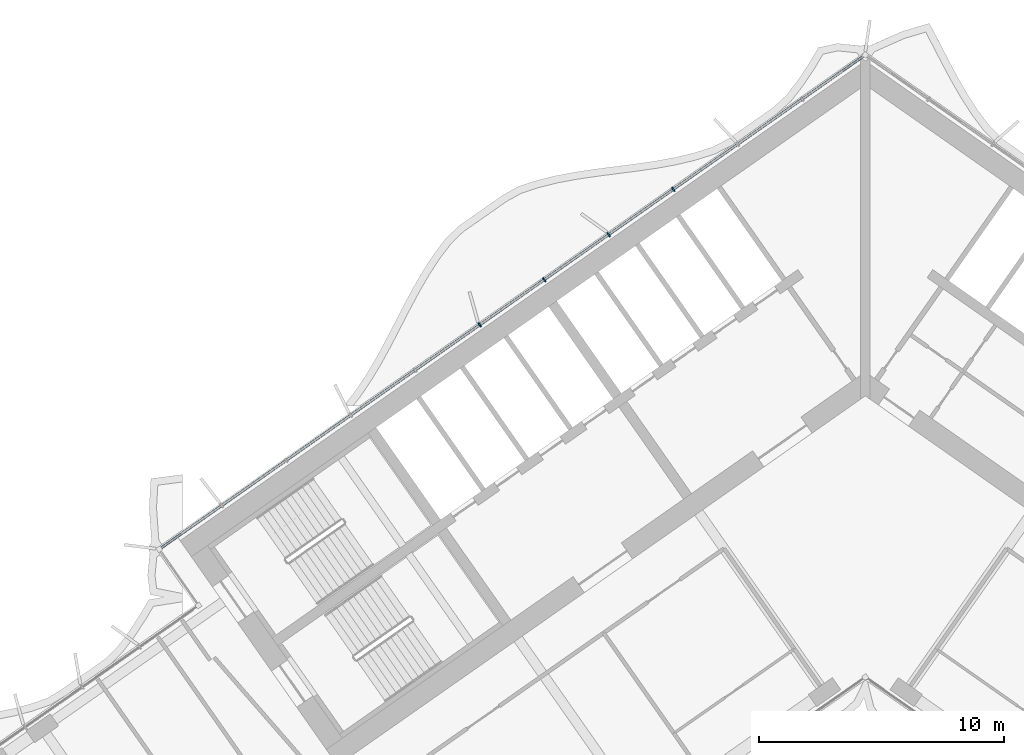
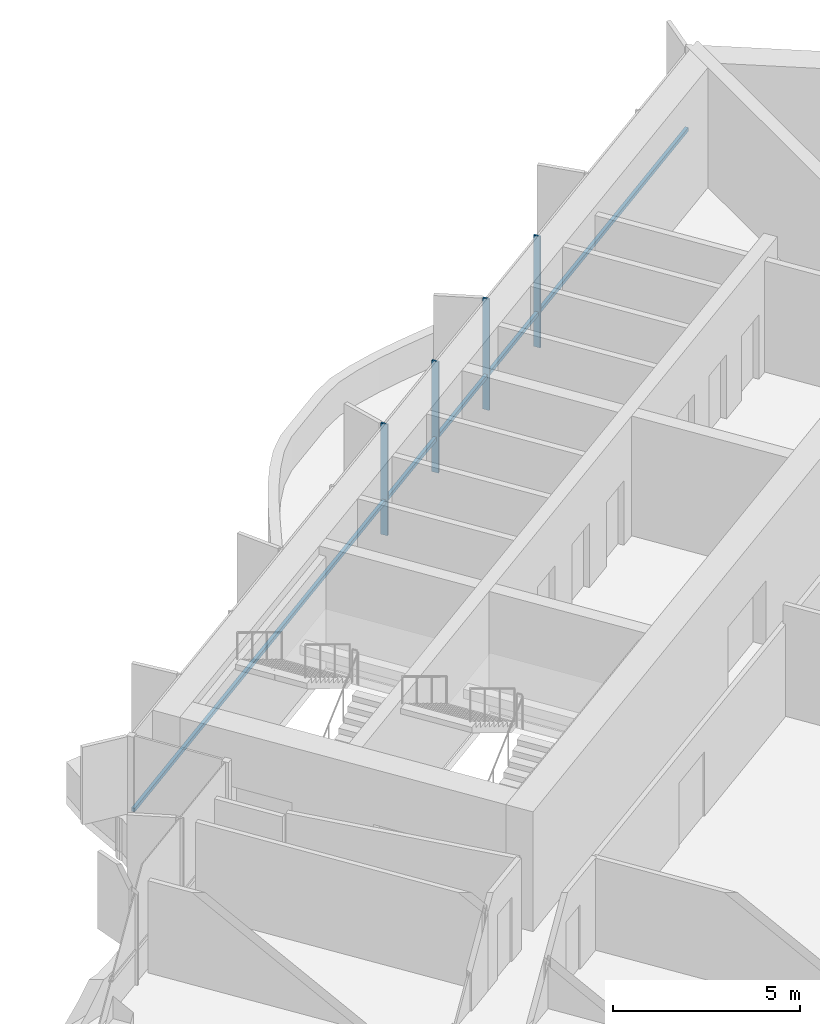
# One storey, part 8 of 23: 5 members, 1 element without a shape of its own.
"""IFC4 building model written with IfcOpenShell, lengths in metres."""

from ifc_helpers import new_model, si_unit, direction, frame, origin, origin_2d, place, context, subcontext, project, spatial, rectangle, extrude, material, material_profile, profile_set, type_object, element, aggregate, save


model = new_model("IFC4")

# Units and contexts
model_context = context("Model", 3, precision=1e-05, world=origin(), true_north=direction((0.0, 1.0)))
body_context = subcontext(model_context, "Body", "Model", "MODEL_VIEW")
ifc_project = project(units=[si_unit("LENGTHUNIT", "METRE"), si_unit("AREAUNIT", "SQUARE_METRE"), si_unit("VOLUMEUNIT", "CUBIC_METRE"), si_unit("PLANEANGLEUNIT", "RADIAN"), si_unit("MASSUNIT", "GRAM", prefix="KILO")], contexts=[model_context])

# Site, building, storey
site_placement = place(None, origin())
site = spatial("IfcSite", under=ifc_project, at=site_placement, CompositionType="ELEMENT")
building_placement = place(site_placement, origin())
building = spatial("IfcBuilding", under=site, at=building_placement, Name="Tel Ilan Convention Tower", CompositionType="ELEMENT")
storey_placement = place(building_placement, frame((0.0, 0.0, 171.0)))
storey = spatial("IfcBuildingStorey", under=building, at=storey_placement, Name="L39", CompositionType="ELEMENT", Elevation=171.0)

# Curtain wall, members
ifc_material_1 = material(Name="Aluminium, bronze anodised", Category="aluminium")
curtain_wall_type = type_object("IfcCurtainWallType", Name="CW2 STICK CURTAIN WALL, SPANDREL PANELS", PredefinedType="NOTDEFINED", material=ifc_material_1)
curtain_wall_placement = place(storey_placement, origin())
curtain_wall = element("IfcCurtainWall", 1, at=curtain_wall_placement, inside=storey, type_object=curtain_wall_type, Name="Curtain wall CW2-31.01", PredefinedType="NOTDEFINED")
ifc_material_2 = material(Name="Aluminium, bronze anodised", Category="aluminium")
ifc_material_profile_1 = material_profile(ifc_material_2, rectangle(XDim=0.06005859375, YDim=0.199951171875, at=origin_2d()), Name="CW MULLION 60x200")
ifc_profile_set_1 = profile_set([ifc_material_profile_1], Name="Aluminium, bronze anodised")
member_type_1 = type_object("IfcMemberType", Name="CW MULLION 60x200", PredefinedType="MULLION", material=ifc_profile_set_1)
member_1_placement = place(storey_placement, frame((-7.840576171875, 7.2060546875, 0.0), z_axis=(0.0, 0.0, 1.0), x_axis=(-0.819152044289, -0.573576436351, 0.0)))
member_1 = element("IfcMember", 2, at=member_1_placement, type_object=member_type_1, Name="Mullion", PredefinedType="MULLION", context=body_context, shape_type="SweptSolid", body=[
    extrude(rectangle(XDim=0.06005859375, YDim=0.199951171875, at=origin_2d()), origin(), (0.0, 0.0, 1.0), 3.6201171875),
])
member_2_placement = place(storey_placement, frame((-10.47314453125, 5.36279296875, 0.0), z_axis=(0.0, 0.0, 1.0), x_axis=(-0.819152044289, -0.573576436351, 0.0)))
member_2 = element("IfcMember", 3, at=member_2_placement, type_object=member_type_1, Name="Mullion", PredefinedType="MULLION", context=body_context, shape_type="SweptSolid", body=[
    extrude(rectangle(XDim=0.06005859375, YDim=0.199951171875, at=origin_2d()), origin(), (0.0, 0.0, 1.0), 3.6201171875),
])
member_3_placement = place(storey_placement, frame((-13.105712890625, 3.519287109375, 0.0), z_axis=(0.0, 0.0, 1.0), x_axis=(-0.819152044289, -0.573576436351, 0.0)))
member_3 = element("IfcMember", 4, at=member_3_placement, type_object=member_type_1, Name="Mullion", PredefinedType="MULLION", context=body_context, shape_type="SweptSolid", body=[
    extrude(rectangle(XDim=0.06005859375, YDim=0.199951171875, at=origin_2d()), origin(), (0.0, 0.0, 1.0), 3.6201171875),
])
member_4_placement = place(storey_placement, frame((-15.73828125, 1.676025390625, 0.0), z_axis=(0.0, 0.0, 1.0), x_axis=(-0.819152044289, -0.573576436351, 0.0)))
member_4 = element("IfcMember", 5, at=member_4_placement, type_object=member_type_1, Name="Mullion", PredefinedType="MULLION", context=body_context, shape_type="SweptSolid", body=[
    extrude(rectangle(XDim=0.06005859375, YDim=0.199951171875, at=origin_2d()), origin(), (0.0, 0.0, 1.0), 3.6201171875),
])
ifc_material_3 = material(Name="Aluminium, bronze anodised", Category="aluminium")
ifc_material_profile_2 = material_profile(ifc_material_3, rectangle(XDim=0.10009765625, YDim=0.1201171875, at=origin_2d()), Name="CW TRANSOM 100x120")
ifc_profile_set_2 = profile_set([ifc_material_profile_2], Name="Aluminium, bronze anodised")
member_type_2 = type_object("IfcMemberType", Name="CW TRANSOM 100x120", PredefinedType="USERDEFINED", material=ifc_profile_set_2)
member_5_placement = place(storey_placement, frame((-0.1064453125, 12.62158203125, 1.10009765625), z_axis=(-0.819150201937, -0.573579067494, 0.0), x_axis=(0.573579067494, -0.819150201937, 0.0)))
member_5 = element("IfcMember", 6, at=member_5_placement, type_object=member_type_2, Name="Transom", ObjectType="TRANSOM", PredefinedType="USERDEFINED", context=body_context, shape_type="SweptSolid", body=[
    extrude(rectangle(XDim=0.10009765625, YDim=0.1201171875, at=origin_2d()), origin(), (0.0, 0.0, 1.0), 34.9521484375),
])
aggregate(curtain_wall, [member_1, member_2, member_3, member_4, member_5])

save(model, "model.ifc")
